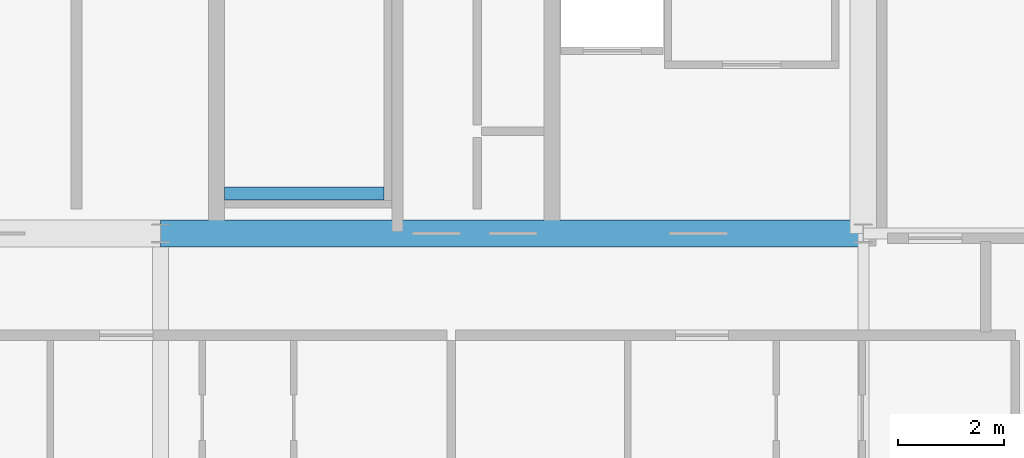
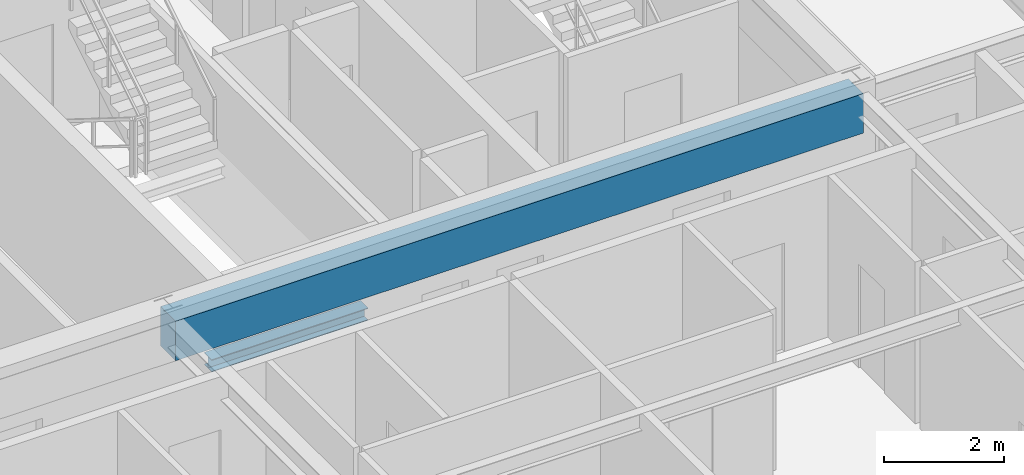
# One storey, part 10 of 35: 2 beams.
"""IFC4 building model written with IfcOpenShell, lengths in metres."""

from ifc_helpers import new_model, si_unit, direction, frame, origin, origin_2d, place, context, subcontext, project, spatial, rectangle, i_section, extrude, source, transform, mapped, material, material_profile, profile_set, type_object, element, save


model = new_model("IFC4")

# Units and contexts
model_context = context("Model", 3, precision=1e-05, world=origin(), true_north=direction((0.0, 1.0)))
body_context = subcontext(model_context, "Body", "Model", "MODEL_VIEW")
ifc_project = project(units=[si_unit("LENGTHUNIT", "METRE"), si_unit("AREAUNIT", "SQUARE_METRE"), si_unit("VOLUMEUNIT", "CUBIC_METRE"), si_unit("PLANEANGLEUNIT", "RADIAN"), si_unit("MASSUNIT", "GRAM", prefix="KILO"), si_unit("THERMODYNAMICTEMPERATUREUNIT", "KELVIN"), si_unit("POWERUNIT", "WATT")], contexts=[model_context])

# Site, building, storey
site_placement = place(None, origin())
site = spatial("IfcSite", under=ifc_project, at=site_placement, CompositionType="ELEMENT")
building_placement = place(site_placement, origin())
building = spatial("IfcBuilding", under=site, at=building_placement, Name="Yuzanri Waterfront Tower", CompositionType="ELEMENT")
storey_placement = place(building_placement, frame((0.0, 0.0, 285.60009765625)))
storey = spatial("IfcBuildingStorey", under=building, at=storey_placement, Name="L76", CompositionType="ELEMENT", Elevation=285.60009765625)

# Beams
ifc_material_1 = material(Name="Concrete C50", Category="concrete")
ifc_material_profile_1 = material_profile(ifc_material_1, rectangle(XDim=0.5, YDim=0.800048828125, at=origin_2d()), Name="RC 500x800")
ifc_profile_set_1 = profile_set([ifc_material_profile_1], Name="Concrete C50")
beam_type_1 = type_object("IfcBeamType", Name="Core Coupling Lintel Concrete C50 500x800", PredefinedType="LINTEL", material=ifc_profile_set_1)
shared_shape_1 = source(origin(), body_context, "Body", "SweptSolid", [
    extrude(rectangle(XDim=0.5, YDim=0.800048828125, at=origin_2d()), origin(), (0.0, 0.0, 1.0), 13.199951171875),
])
beam_1_placement = place(storey_placement, frame((37.0, 19.39990234375, 2.8798828125), z_axis=(1.0, 0.0, 0.0), x_axis=(0.0, 1.0, 0.0)))
element("IfcBeam", 1, at=beam_1_placement, inside=storey, type_object=beam_type_1, Name="L76 Core Tie Beam CS2", PredefinedType="LINTEL", context=body_context, shape_type="MappedRepresentation", body=[
    mapped(shared_shape_1, transform((0.0, 0.0, 0.0), scale=1.0)),
])
ifc_material_2 = material(Name="Steel Q355B", Category="steel")
ifc_material_profile_2 = material_profile(ifc_material_2, i_section(OverallWidth=0.25, OverallDepth=0.25, WebThickness=0.009033203125, FlangeThickness=0.013916015625, at=origin_2d()), Name="HW 250x250x9x14")
ifc_profile_set_2 = profile_set([ifc_material_profile_2], Name="Steel Q355B")
beam_type_2 = type_object("IfcBeamType", Name="Stair Landing Support Beam Q355B HW 250x250", PredefinedType="BEAM", material=ifc_profile_set_2)
shared_shape_2 = source(origin(), body_context, "Body", "SweptSolid", [
    extrude(i_section(OverallWidth=0.25, OverallDepth=0.25, WebThickness=0.009033203125, FlangeThickness=0.013916015625, at=origin_2d()), origin(), (0.0, 0.0, 1.0), 3.0),
])
beam_2_placement = place(storey_placement, frame((38.199951171875, 20.14990234375, 1.4248046875), z_axis=(1.0, 0.0, 0.0), x_axis=(0.0, 1.0, 0.0)))
element("IfcBeam", 2, at=beam_2_placement, inside=storey, type_object=beam_type_2, Name="L76 Stair Landing Support Beam ST-03-L76-L1-1", PredefinedType="BEAM", context=body_context, shape_type="MappedRepresentation", body=[
    mapped(shared_shape_2, transform((0.0, 0.0, 0.0), scale=1.0)),
])

save(model, "model.ifc")
